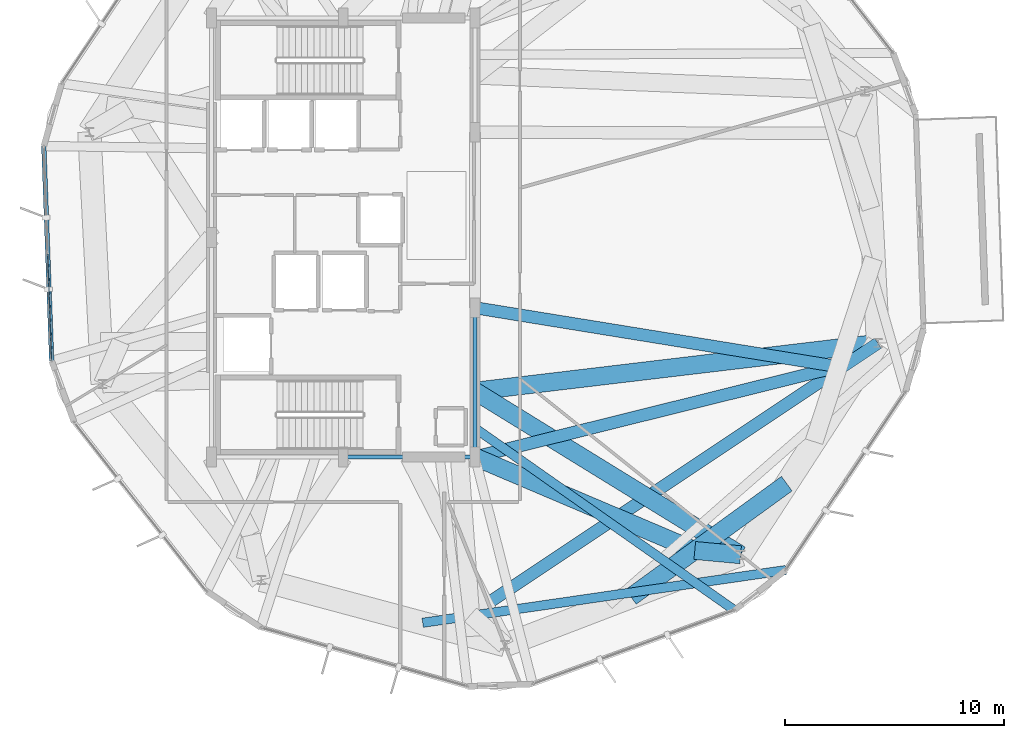
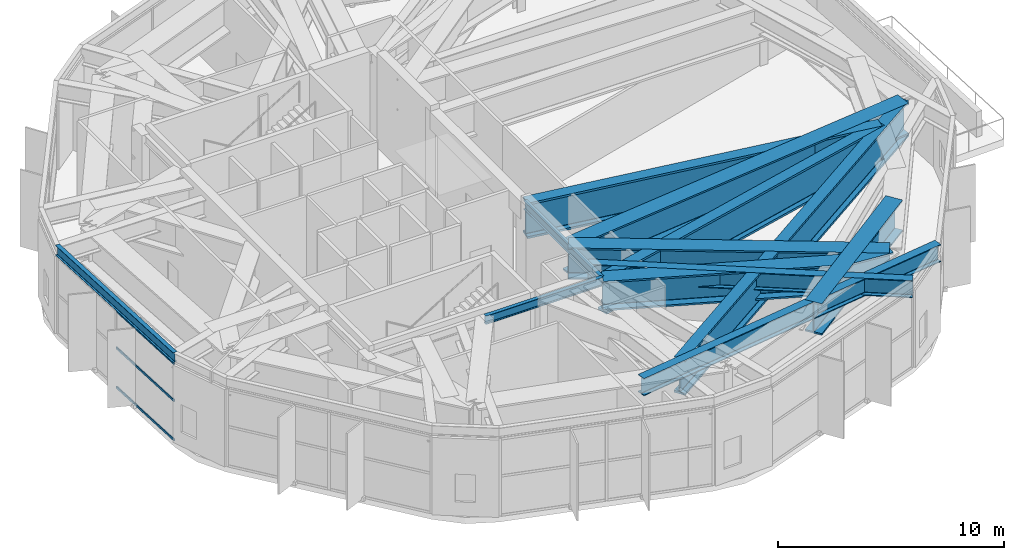
# One storey, part 9 of 30: 13 beams, 3 members, 1 element without a shape of its own.
"""IFC4 building model written with IfcOpenShell, lengths in metres."""

from ifc_helpers import new_model, si_unit, direction, frame, origin, origin_2d, place, context, subcontext, project, spatial, hollow_rectangle, i_section, extrude, material, layer, layer_set, material_profile, profile_set, type_object, element, aggregate, save


model = new_model("IFC4")

# Units and contexts
model_context = context("Model", 3, precision=1e-05, world=origin(), true_north=direction((0.0, 1.0)))
body_context = subcontext(model_context, "Body", "Model", "MODEL_VIEW")
ifc_project = project(units=[si_unit("LENGTHUNIT", "METRE"), si_unit("AREAUNIT", "SQUARE_METRE"), si_unit("VOLUMEUNIT", "CUBIC_METRE"), si_unit("PLANEANGLEUNIT", "RADIAN"), si_unit("MASSUNIT", "GRAM", prefix="KILO")], contexts=[model_context])

# Site, building, storey
site_placement = place(None, origin())
site = spatial("IfcSite", under=ifc_project, at=site_placement, CompositionType="ELEMENT")
building_placement = place(site_placement, origin())
building = spatial("IfcBuilding", under=site, at=building_placement, Name="Soratama Intermodal Tower", CompositionType="ELEMENT")
storey_placement = place(building_placement, frame((0.0, 0.0, 237.39990234375)))
storey = spatial("IfcBuildingStorey", under=building, at=storey_placement, Name="L60", CompositionType="ELEMENT", Elevation=237.39990234375)

# Beams
ifc_material_1 = material(Name="Structural steel ASTM A992 Grade 50", Category="steel")
ifc_material_profile_1 = material_profile(ifc_material_1, i_section(OverallWidth=0.19091796875, OverallDepth=0.4599609375, WebThickness=0.010009765625, FlangeThickness=0.01611328125, FilletRadius=0.010986328125, at=origin_2d()), Name="W18X55")
ifc_profile_set_1 = profile_set([ifc_material_profile_1], Name="Structural steel ASTM A992 Grade 50")
beam_type_1 = type_object("IfcBeamType", Name="BM-FLR-W18X55", PredefinedType="BEAM", material=ifc_profile_set_1)
beam_1_placement = place(storey_placement, frame((38.60009765625, 15.0, 4.570068359375), z_axis=(1.0, 0.0, 0.0), x_axis=(0.0, 1.0, 0.0)))
element("IfcBeam", 1, at=beam_1_placement, inside=storey, type_object=beam_type_1, Name="BM-L60-CRING-02", PredefinedType="BEAM", context=body_context, shape_type="SweptSolid", body=[
    extrude(i_section(OverallWidth=0.19091796875, OverallDepth=0.4599609375, WebThickness=0.010009765625, FlangeThickness=0.01611328125, FilletRadius=0.010986328125, at=origin_2d()), origin(), (0.0, 0.0, 1.0), 6.0),
])
beam_2_placement = place(storey_placement, frame((44.60009765625, 15.0, 4.570068359375), z_axis=(0.0, 1.0, 0.0), x_axis=(-1.0, 0.0, 0.0)))
element("IfcBeam", 2, at=beam_2_placement, inside=storey, type_object=beam_type_1, Name="BM-L60-CRING-03", PredefinedType="BEAM", context=body_context, shape_type="SweptSolid", body=[
    extrude(i_section(OverallWidth=0.19091796875, OverallDepth=0.4599609375, WebThickness=0.010009765625, FlangeThickness=0.01611328125, FilletRadius=0.010986328125, at=origin_2d()), origin(), (0.0, 0.0, 1.0), 6.800048828125),
])
ifc_material_2 = material(Name="Structural steel ASTM A992 Grade 50", Category="steel")
ifc_material_profile_2 = material_profile(ifc_material_2, i_section(OverallWidth=0.423095703125, OverallDepth=0.93896484375, WebThickness=0.02392578125, FlangeThickness=0.042724609375, FilletRadius=0.02392578125, at=origin_2d()), Name="W36X302")
ifc_profile_set_2 = profile_set([ifc_material_profile_2], Name="Structural steel ASTM A992 Grade 50")
beam_type_2 = type_object("IfcBeamType", Name="BM-POD-W36X302", PredefinedType="BEAM", material=ifc_profile_set_2)
beam_3_placement = place(storey_placement, frame((44.633056640625, 16.294921875, 4.33056640625), z_axis=(0.818601126978, -0.574362424702, 0.0), x_axis=(0.574362424702, 0.818601126978, 0.0)))
element("IfcBeam", 3, at=beam_3_placement, inside=storey, type_object=beam_type_2, Name="BM-L60-TIE1-07", PredefinedType="BEAM", context=body_context, shape_type="SweptSolid", body=[
    extrude(i_section(OverallWidth=0.423095703125, OverallDepth=0.93896484375, WebThickness=0.02392578125, FlangeThickness=0.042724609375, FilletRadius=0.02392578125, at=origin_2d()), origin(), (0.0, 0.0, 1.0), 14.412109375),
])
beam_4_placement = place(storey_placement, frame((42.220947265625, 7.447021484375, 4.33056640625), z_axis=(0.989634867767, 0.143606505771, 0.0), x_axis=(-0.143606505771, 0.989634867767, 0.0)))
element("IfcBeam", 4, at=beam_4_placement, inside=storey, type_object=beam_type_2, Name="BM-L60-TIE0-08", PredefinedType="BEAM", context=body_context, shape_type="SweptSolid", body=[
    extrude(i_section(OverallWidth=0.423095703125, OverallDepth=0.93896484375, WebThickness=0.02392578125, FlangeThickness=0.042724609375, FilletRadius=0.02392578125, at=origin_2d()), origin(), (0.0, 0.0, 1.0), 16.718505859375),
])
ifc_material_3 = material(Name="Structural steel ASTM A992 Grade 50", Category="steel")
ifc_material_profile_3 = material_profile(ifc_material_3, i_section(OverallWidth=0.2099609375, OverallDepth=0.537109375, WebThickness=0.010986328125, FlangeThickness=0.017333984375, FilletRadius=0.012939453125, at=origin_2d()), Name="W21X68")
ifc_profile_set_3 = profile_set([ifc_material_profile_3], Name="Structural steel ASTM A992 Grade 50")
beam_type_3 = type_object("IfcBeamType", Name="BM-SPN-W21X68", PredefinedType="SPANDREL", material=ifc_profile_set_3)
beam_5_placement = place(storey_placement, frame((24.95703125, 29.1669921875, 4.531494140625), z_axis=(0.036630098552, -0.999328892748, 0.0), x_axis=(0.999328892748, 0.036630098552, 0.0)))
element("IfcBeam", 5, at=beam_5_placement, inside=storey, type_object=beam_type_3, Name="BS-L60-F04", PredefinedType="SPANDREL", context=body_context, shape_type="SweptSolid", body=[
    extrude(i_section(OverallWidth=0.2099609375, OverallDepth=0.537109375, WebThickness=0.010986328125, FlangeThickness=0.017333984375, FilletRadius=0.012939453125, at=origin_2d()), origin(), (0.0, 0.0, 1.0), 9.797607421875),
])
ifc_material_4 = material(Name="Structural steel ASTM A992 Grade 50", Category="steel")
ifc_material_profile_4 = material_profile(ifc_material_4, i_section(OverallWidth=0.56005859375, OverallDepth=1.919921875, WebThickness=0.05810546875, FlangeThickness=0.110107421875, FilletRadius=0.02392578125, at=origin_2d()), Name="PG2150X720")
ifc_profile_set_4 = profile_set([ifc_material_profile_4], Name="Structural steel ASTM A992 Grade 50")
beam_type_4 = type_object("IfcBeamType", Name="BM-ZSTEP-LONG", PredefinedType="BEAM", material=ifc_profile_set_4)
beam_6_placement = place(storey_placement, frame((44.39990234375, 7.81103515625, 3.840087890625), z_axis=(0.832100792095, 0.554624442118, 0.0), x_axis=(-0.554624442118, 0.832100792095, 0.0)))
element("IfcBeam", 6, at=beam_6_placement, inside=storey, type_object=beam_type_4, Name="BM-L60-ZSTEP-B08", PredefinedType="BEAM", context=body_context, shape_type="SweptSolid", body=[
    extrude(i_section(OverallWidth=0.56005859375, OverallDepth=1.919921875, WebThickness=0.05810546875, FlangeThickness=0.110107421875, FilletRadius=0.02392578125, at=origin_2d()), origin(), (0.0, 0.0, 1.0), 22.3125),
])
beam_7_placement = place(storey_placement, frame((44.60009765625, 21.800048828125, 3.840087890625), z_axis=(0.987131686383, -0.159909454812, 0.0), x_axis=(0.159909454812, 0.987131686383, 0.0)))
element("IfcBeam", 7, at=beam_7_placement, inside=storey, type_object=beam_type_4, Name="BM-L60-ZSTEP-A10", PredefinedType="BEAM", context=body_context, shape_type="SweptSolid", body=[
    extrude(i_section(OverallWidth=0.56005859375, OverallDepth=1.919921875, WebThickness=0.05810546875, FlangeThickness=0.110107421875, FilletRadius=0.02392578125, at=origin_2d()), origin(), (0.0, 0.0, 1.0), 16.77880859375),
])
beam_8_placement = place(storey_placement, frame((61.1630859375, 19.116943359375, 3.840087890625), z_axis=(-0.970469782202, -0.241222722462, 0.0), x_axis=(0.241222722462, -0.970469782202, 0.0)))
element("IfcBeam", 8, at=beam_8_placement, inside=storey, type_object=beam_type_4, Name="BM-L60-ZSTEP-B10", PredefinedType="BEAM", context=body_context, shape_type="SweptSolid", body=[
    extrude(i_section(OverallWidth=0.56005859375, OverallDepth=1.919921875, WebThickness=0.05810546875, FlangeThickness=0.110107421875, FilletRadius=0.02392578125, at=origin_2d()), origin(), (0.0, 0.0, 1.0), 17.06689453125),
])
ifc_material_5 = material(Name="Structural steel ASTM A992 Grade 50", Category="steel")
ifc_material_profile_5 = material_profile(ifc_material_5, i_section(OverallWidth=0.820068359375, OverallDepth=1.699951171875, WebThickness=0.053955078125, FlangeThickness=0.087890625, FilletRadius=0.02392578125, at=origin_2d()), Name="PG1580X800")
ifc_profile_set_5 = profile_set([ifc_material_profile_5], Name="Structural steel ASTM A992 Grade 50")
beam_type_5 = type_object("IfcBeamType", Name="BM-ZSTEP-PG1580", PredefinedType="BEAM", material=ifc_profile_set_5)
beam_9_placement = place(storey_placement, frame((51.708984375, 8.626953125, 3.9501953125), z_axis=(0.8090330776, 0.587763114996, 0.0), x_axis=(-0.587763114996, 0.8090330776, 0.0)))
element("IfcBeam", 9, at=beam_9_placement, inside=storey, type_object=beam_type_5, Name="BM-L60-ZCHORD-09", PredefinedType="BEAM", context=body_context, shape_type="SweptSolid", body=[
    extrude(i_section(OverallWidth=0.820068359375, OverallDepth=1.699951171875, WebThickness=0.053955078125, FlangeThickness=0.087890625, FilletRadius=0.02392578125, at=origin_2d()), origin(), (0.0, 0.0, 1.0), 8.77734375),
])
beam_10_placement = place(storey_placement, frame((44.60009765625, 18.0, 3.9501953125), z_axis=(0.851474298832, -0.524396337161, 0.0), x_axis=(0.524396337161, 0.851474298832, 0.0)))
element("IfcBeam", 10, at=beam_10_placement, inside=storey, type_object=beam_type_5, Name="BM-L60-RAD-09", PredefinedType="BEAM", context=body_context, shape_type="SweptSolid", body=[
    extrude(i_section(OverallWidth=0.820068359375, OverallDepth=1.699951171875, WebThickness=0.053955078125, FlangeThickness=0.087890625, FilletRadius=0.02392578125, at=origin_2d()), origin(), (0.0, 0.0, 1.0), 14.216552734375),
])
beam_11_placement = place(storey_placement, frame((44.60009765625, 18.0, 3.9501953125), z_axis=(0.992990745736, 0.118192126993, 0.0), x_axis=(-0.118192126993, 0.992990745736, 0.0)))
element("IfcBeam", 11, at=beam_11_placement, inside=storey, type_object=beam_type_5, Name="BM-L60-RAD-10", PredefinedType="BEAM", context=body_context, shape_type="SweptSolid", body=[
    extrude(i_section(OverallWidth=0.820068359375, OverallDepth=1.699951171875, WebThickness=0.053955078125, FlangeThickness=0.087890625, FilletRadius=0.02392578125, at=origin_2d()), origin(), (0.0, 0.0, 1.0), 18.49560546875),
])
ifc_material_6 = material(Name="Structural steel ASTM A992 Grade 50", Category="steel")
ifc_material_profile_6 = material_profile(ifc_material_6, i_section(OverallWidth=0.820068359375, OverallDepth=1.60205078125, WebThickness=0.055908203125, FlangeThickness=0.092041015625, FilletRadius=0.02392578125, at=origin_2d()), Name="PG1600X650")
ifc_profile_set_6 = profile_set([ifc_material_profile_6], Name="Structural steel ASTM A992 Grade 50")
beam_type_6 = type_object("IfcBeamType", Name="BM-ZSTEP-PG1600", PredefinedType="BEAM", material=ifc_profile_set_6)
beam_12_placement = place(storey_placement, frame((56.705078125, 10.544921875, 3.9990234375), z_axis=(-0.995617637627, 0.093517483099, 0.0), x_axis=(-0.093517483099, -0.995617637627, 0.0)))
element("IfcBeam", 12, at=beam_12_placement, inside=storey, type_object=beam_type_6, Name="BM-L60-ZSTEP-A09", PredefinedType="BEAM", context=body_context, shape_type="SweptSolid", body=[
    extrude(i_section(OverallWidth=0.820068359375, OverallDepth=1.60205078125, WebThickness=0.055908203125, FlangeThickness=0.092041015625, FilletRadius=0.02392578125, at=origin_2d()), origin(), (0.0, 0.0, 1.0), 2.096435546875),
])
beam_13_placement = place(storey_placement, frame((54.617919921875, 10.740966796875, 3.9990234375), z_axis=(-0.920282671955, 0.391254142087, 0.0), x_axis=(-0.391254142087, -0.920282671955, 0.0)))
element("IfcBeam", 13, at=beam_13_placement, inside=storey, type_object=beam_type_6, Name="BM-L60-ZSTEP-B09", PredefinedType="BEAM", context=body_context, shape_type="SweptSolid", body=[
    extrude(i_section(OverallWidth=0.820068359375, OverallDepth=1.60205078125, WebThickness=0.055908203125, FlangeThickness=0.092041015625, FilletRadius=0.02392578125, at=origin_2d()), origin(), (0.0, 0.0, 1.0), 10.885498046875),
])

# Curtain wall, members
ifc_material_7 = material(Name="Double-glazed aluminium curtain wall", Category="aluminium")
ifc_layer = layer(ifc_material_7, 0.159912109375)
ifc_layer_set = layer_set([ifc_layer], Name="Double-glazed aluminium curtain wall")
curtain_wall_type = type_object("IfcCurtainWallType", Name="CW-SYS-5", PredefinedType="NOTDEFINED", material=ifc_layer_set)
curtain_wall_placement = place(storey_placement, origin())
curtain_wall = element("IfcCurtainWall", 14, at=curtain_wall_placement, inside=storey, type_object=curtain_wall_type, Name="L60 Faceted Curtain Wall F04", PredefinedType="NOTDEFINED")
ifc_material_8 = material(Name="Anodised aluminium AA 6063-T6", Category="aluminium")
ifc_material_profile_7 = material_profile(ifc_material_8, hollow_rectangle(XDim=0.06005859375, YDim=0.1298828125, WallThickness=0.0048828125, InnerFilletRadius=0.0048828125, OuterFilletRadius=0.010009765625, at=origin_2d()), Name="CWT130X60X5")
ifc_profile_set_7 = profile_set([ifc_material_profile_7], Name="Anodised aluminium AA 6063-T6")
member_type = type_object("IfcMemberType", Name="TT-CWT-2", PredefinedType="USERDEFINED", material=ifc_profile_set_7)
member_1_placement = place(storey_placement, frame((25.137451171875, 24.24169921875, 0.030029296875), z_axis=(0.036654887437, -0.999327983811, 0.0), x_axis=(0.999327983811, 0.036654887437, 0.0)))
member_1 = element("IfcMember", 15, at=member_1_placement, type_object=member_type, Name="CW-5 transom 2.1", ObjectType="TRANSOM", PredefinedType="USERDEFINED", context=body_context, shape_type="SweptSolid", body=[
    extrude(hollow_rectangle(XDim=0.06005859375, YDim=0.1298828125, WallThickness=0.0048828125, InnerFilletRadius=0.0048828125, OuterFilletRadius=0.010009765625, at=origin_2d()), origin(), (0.0, 0.0, 1.0), 4.808837890625),
])
member_2_placement = place(storey_placement, frame((25.137451171875, 24.24169921875, 2.150146484375), z_axis=(0.036654887437, -0.999327983811, 0.0), x_axis=(0.999327983811, 0.036654887437, 0.0)))
member_2 = element("IfcMember", 16, at=member_2_placement, type_object=member_type, Name="CW-5 transom 2.2", ObjectType="TRANSOM", PredefinedType="USERDEFINED", context=body_context, shape_type="SweptSolid", body=[
    extrude(hollow_rectangle(XDim=0.06005859375, YDim=0.1298828125, WallThickness=0.0048828125, InnerFilletRadius=0.0048828125, OuterFilletRadius=0.010009765625, at=origin_2d()), origin(), (0.0, 0.0, 1.0), 4.808837890625),
])
member_3_placement = place(storey_placement, frame((25.137451171875, 24.24169921875, 4.149169921875), z_axis=(0.036654887437, -0.999327983811, 0.0), x_axis=(0.999327983811, 0.036654887437, 0.0)))
member_3 = element("IfcMember", 17, at=member_3_placement, type_object=member_type, Name="CW-5 transom 2.3", ObjectType="TRANSOM", PredefinedType="USERDEFINED", context=body_context, shape_type="SweptSolid", body=[
    extrude(hollow_rectangle(XDim=0.06005859375, YDim=0.1298828125, WallThickness=0.0048828125, InnerFilletRadius=0.0048828125, OuterFilletRadius=0.010009765625, at=origin_2d()), origin(), (0.0, 0.0, 1.0), 4.808837890625),
])
aggregate(curtain_wall, [member_1, member_2, member_3])

save(model, "model.ifc")
